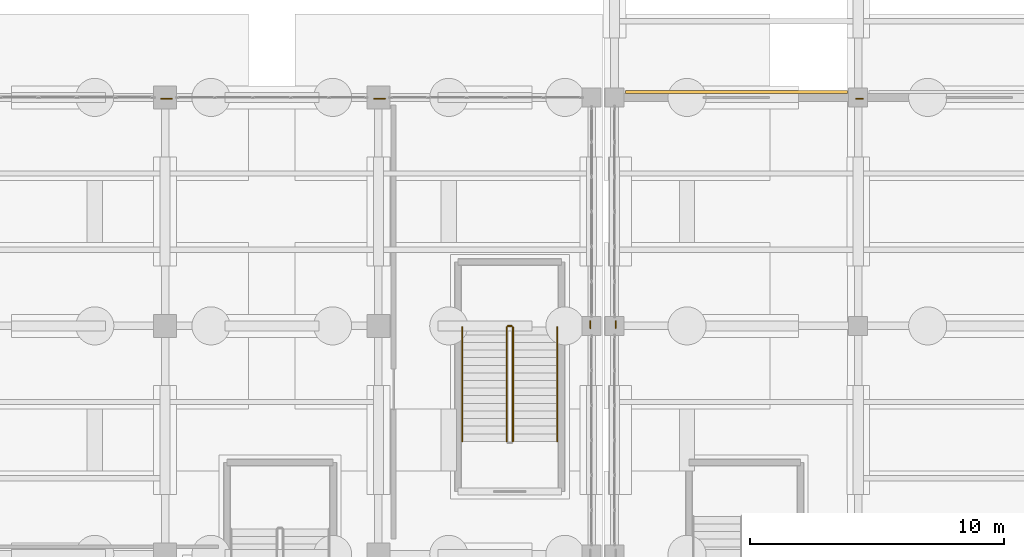
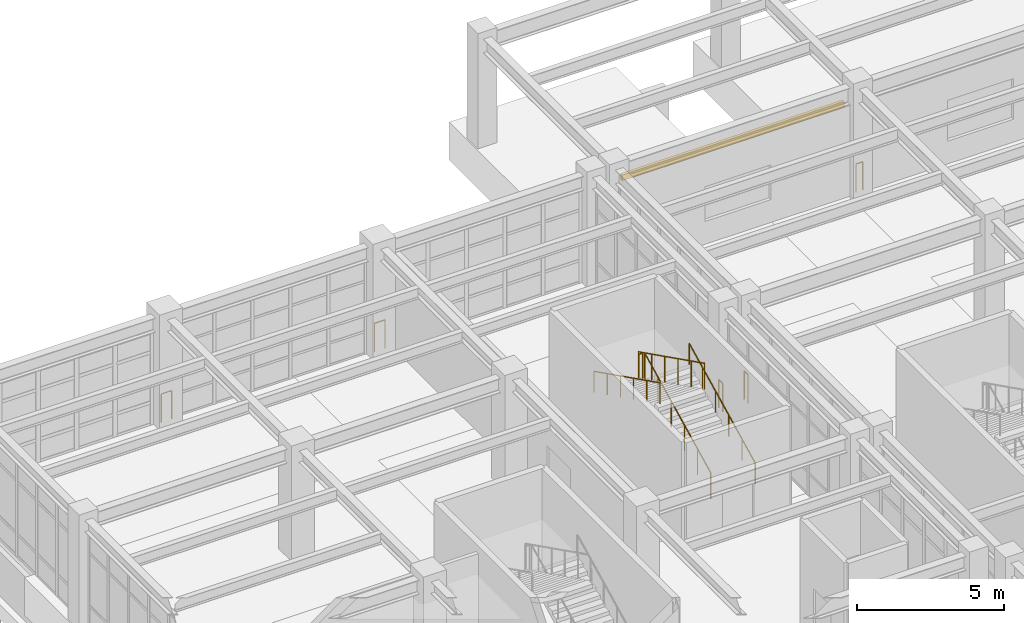
# One storey, part 137 of 139: 10 railings, 1 covering.
"""IFC4 building model written with IfcOpenShell, lengths in metres."""

from ifc_helpers import new_model, si_unit, direction, frame, origin, origin_2d, place, context, subcontext, project, spatial, rectangle, circle, extrude, material, layer, layer_set, type_object, element, save


model = new_model("IFC4")

# Units and contexts
model_context = context("Model", 3, precision=1e-05, world=origin(), true_north=direction((0.0, 1.0)))
body_context = subcontext(model_context, "Body", "Model", "MODEL_VIEW")
ifc_project = project(units=[si_unit("LENGTHUNIT", "METRE"), si_unit("AREAUNIT", "SQUARE_METRE"), si_unit("VOLUMEUNIT", "CUBIC_METRE"), si_unit("PLANEANGLEUNIT", "RADIAN"), si_unit("MASSUNIT", "GRAM", prefix="KILO")], contexts=[model_context])

# Site, building, storey
site_placement = place(None, origin())
site = spatial("IfcSite", under=ifc_project, at=site_placement, CompositionType="ELEMENT")
building_placement = place(site_placement, origin())
building = spatial("IfcBuilding", under=site, at=building_placement, Name="Canglan Escarpment Cableway Terminal", CompositionType="ELEMENT")
storey_placement = place(building_placement, frame((0.0, 0.0, 14.39990234375)))
storey = spatial("IfcBuildingStorey", under=building, at=storey_placement, Name="L03", CompositionType="ELEMENT", Elevation=14.39990234375)

# Covering
ifc_material_1 = material(Name="Carved classical limestone cornice", Category="masonry")
ifc_layer = layer(ifc_material_1, 0.1201171875, Name="Carved classical limestone cornice")
ifc_layer_set = layer_set([ifc_layer], Name="Carved classical limestone cornice")
covering_type = type_object("IfcCoveringType", Name="COV-CORNICE-STONE", PredefinedType="CLADDING", material=ifc_layer_set)
covering_placement = place(storey_placement, frame((142.39990234375, 115.219970703125, 3.52490234375), z_axis=(0.0, 0.0, 1.0), x_axis=(-1.0, 0.0, 0.0)))
element("IfcCovering", 1, at=covering_placement, inside=storey, type_object=covering_type, Name="Classical carved limestone cornice CL-01", PredefinedType="CLADDING", context=body_context, shape_type="SweptSolid", body=[
    extrude(rectangle(XDim=8.75, YDim=0.1201171875, at=origin_2d()), origin(), (0.0, 0.0, 1.0), 0.239990234375),
])

# Railings
ifc_material_2 = material(Name="Carved limestone and anodized bronze balustrade", Category="masonry")
railing_type_1 = type_object("IfcRailingType", Name="RL-EXT-BALUSTRADE-1200", PredefinedType="BALUSTRADE", material=ifc_material_2)
railing_1_placement = place(storey_placement, frame((119.739990234375, 114.949951171875, 0.0)))
element("IfcRailing", 2, at=railing_1_placement, inside=storey, type_object=railing_type_1, Name="Classical terrace balustrade guard GD-01 (L03)", PredefinedType="BALUSTRADE", context=body_context, shape_type="SweptSolid", body=[
    extrude(circle(Radius=0.02392578125, at=origin_2d()), frame((0.0, 0.0, 1.17578125), z_axis=(1.0, 0.0, 0.0), x_axis=(0.0, 1.0, 0.0)), (0.0, 0.0, 1.0), 0.419921875),
    extrude(circle(Radius=0.02099609375, at=origin_2d()), origin(), (0.0, 0.0, 1.0), 1.15185546875),
    extrude(circle(Radius=0.02099609375, at=origin_2d()), frame((0.419921875, 0.0, 0.0)), (0.0, 0.0, 1.0), 1.15185546875),
])
railing_2_placement = place(storey_placement, frame((128.139892578125, 114.949951171875, 0.0)))
element("IfcRailing", 3, at=railing_2_placement, inside=storey, type_object=railing_type_1, Name="Classical terrace balustrade guard GD-01 (L03)", PredefinedType="BALUSTRADE", context=body_context, shape_type="SweptSolid", body=[
    extrude(circle(Radius=0.02392578125, at=origin_2d()), frame((0.0, 0.0, 1.17578125), z_axis=(1.0, 0.0, 0.0), x_axis=(0.0, 1.0, 0.0)), (0.0, 0.0, 1.0), 0.420166015625),
    extrude(circle(Radius=0.02099609375, at=origin_2d()), origin(), (0.0, 0.0, 1.0), 1.15185546875),
    extrude(circle(Radius=0.02099609375, at=origin_2d()), frame((0.420166015625, 0.0, 0.0)), (0.0, 0.0, 1.0), 1.15185546875),
])
railing_3_placement = place(storey_placement, frame((136.64990234375, 106.18505859375, 0.0)))
element("IfcRailing", 4, at=railing_3_placement, inside=storey, type_object=railing_type_1, Name="Classical terrace balustrade guard GD-01 (L03)", PredefinedType="BALUSTRADE", context=body_context, shape_type="SweptSolid", body=[
    extrude(circle(Radius=0.02392578125, at=origin_2d()), frame((0.0, 0.0, 1.17578125), z_axis=(0.0, -1.0, 0.0), x_axis=(1.0, 0.0, 0.0)), (0.0, 0.0, 1.0), 0.27001953125),
    extrude(circle(Radius=0.02099609375, at=origin_2d()), origin(), (0.0, 0.0, 1.0), 1.15185546875),
    extrude(circle(Radius=0.02099609375, at=origin_2d()), frame((0.0, -0.27001953125, 0.0)), (0.0, 0.0, 1.0), 1.15185546875),
])
railing_4_placement = place(storey_placement, frame((137.64990234375, 105.9150390625, 0.0)))
element("IfcRailing", 5, at=railing_4_placement, inside=storey, type_object=railing_type_1, Name="Classical terrace balustrade guard GD-01 (L03)", PredefinedType="BALUSTRADE", context=body_context, shape_type="SweptSolid", body=[
    extrude(circle(Radius=0.02392578125, at=origin_2d()), frame((0.0, 0.0, 1.17578125), z_axis=(0.0, 1.0, 0.0), x_axis=(-1.0, 0.0, 0.0)), (0.0, 0.0, 1.0), 0.27001953125),
    extrude(circle(Radius=0.02099609375, at=origin_2d()), origin(), (0.0, 0.0, 1.0), 1.15185546875),
    extrude(circle(Radius=0.02099609375, at=origin_2d()), frame((0.0, 0.27001953125, 0.0)), (0.0, 0.0, 1.0), 1.15185546875),
])
railing_5_placement = place(storey_placement, frame((147.114990234375, 114.949951171875, 0.0)))
element("IfcRailing", 6, at=railing_5_placement, inside=storey, type_object=railing_type_1, Name="Classical terrace balustrade guard GD-01 (L03)", PredefinedType="BALUSTRADE", context=body_context, shape_type="SweptSolid", body=[
    extrude(circle(Radius=0.02392578125, at=origin_2d()), frame((0.0, 0.0, 1.17578125), z_axis=(1.0, 0.0, 0.0), x_axis=(0.0, 1.0, 0.0)), (0.0, 0.0, 1.0), 0.27001953125),
    extrude(circle(Radius=0.02099609375, at=origin_2d()), origin(), (0.0, 0.0, 1.0), 1.15185546875),
    extrude(circle(Radius=0.02099609375, at=origin_2d()), frame((0.27001953125, 0.0, 0.0)), (0.0, 0.0, 1.0), 1.15185546875),
])
ifc_material_3 = material(Name="Powder-coated steel stair balustrade", Category="steel")
railing_type_2 = type_object("IfcRailingType", Name="RL-STR-GUARD-1100", PredefinedType="BALUSTRADE", material=ifc_material_3)
railing_6_placement = place(storey_placement, frame((133.60009765625, 101.449951171875, 0.150146484375)))
element("IfcRailing", 7, at=railing_6_placement, inside=storey, type_object=railing_type_2, Name="L03 ST-18 stair guard 1", PredefinedType="BALUSTRADE", context=body_context, shape_type="SweptSolid", body=[
    extrude(circle(Radius=0.02392578125, at=origin_2d()), frame((0.0, 0.0, 1.076171875), z_axis=(0.0, 0.894427191, 0.4472135955), x_axis=(-1.0, 0.0, 0.0)), (0.0, 0.0, 1.0), 5.03125),
    extrude(circle(Radius=0.02099609375, at=origin_2d()), origin(), (0.0, 0.0, 1.0), 1.052001953125),
    extrude(circle(Radius=0.02099609375, at=origin_2d()), frame((0.0, 0.89990234375, 0.449951171875)), (0.0, 0.0, 1.0), 1.052001953125),
    extrude(circle(Radius=0.02099609375, at=origin_2d()), frame((0.0, 1.800048828125, 0.89990234375)), (0.0, 0.0, 1.0), 1.052001953125),
    extrude(circle(Radius=0.02099609375, at=origin_2d()), frame((0.0, 2.699951171875, 1.35009765625)), (0.0, 0.0, 1.0), 1.052001953125),
    extrude(circle(Radius=0.02099609375, at=origin_2d()), frame((0.0, 3.60009765625, 1.800048828125)), (0.0, 0.0, 1.0), 1.052001953125),
    extrude(circle(Radius=0.02099609375, at=origin_2d()), frame((0.0, 4.5, 2.25)), (0.0, 0.0, 1.0), 1.052001953125),
])
railing_7_placement = place(storey_placement, frame((133.550048828125, 106.0, 2.400146484375)))
element("IfcRailing", 8, at=railing_7_placement, inside=storey, type_object=railing_type_2, Name="L03 ST-18 stair guard 2", PredefinedType="BALUSTRADE", context=body_context, shape_type="SweptSolid", body=[
    extrude(circle(Radius=0.02392578125, at=origin_2d()), frame((0.0, 0.0, 1.076171875), z_axis=(-1.0, 0.0, 0.0), x_axis=(0.0, -1.0, 0.0)), (0.0, 0.0, 1.0), 0.150146484375),
    extrude(circle(Radius=0.02099609375, at=origin_2d()), origin(), (0.0, 0.0, 1.0), 1.052001953125),
    extrude(circle(Radius=0.02099609375, at=origin_2d()), frame((-0.150146484375, 0.0, 0.0)), (0.0, 0.0, 1.0), 1.052001953125),
])
railing_8_placement = place(storey_placement, frame((133.35009765625, 105.949951171875, 2.550048828125)))
element("IfcRailing", 9, at=railing_8_placement, inside=storey, type_object=railing_type_2, Name="L03 ST-18 stair guard 3", PredefinedType="BALUSTRADE", context=body_context, shape_type="SweptSolid", body=[
    extrude(circle(Radius=0.02392578125, at=origin_2d()), frame((0.0, 0.0, 1.076171875), z_axis=(0.0, -0.894427191, 0.4472135955), x_axis=(1.0, 0.0, 0.0)), (0.0, 0.0, 1.0), 5.03125),
    extrude(circle(Radius=0.02099609375, at=origin_2d()), origin(), (0.0, 0.0, 1.0), 1.052001953125),
    extrude(circle(Radius=0.02099609375, at=origin_2d()), frame((0.0, -0.89990234375, 0.449951171875)), (0.0, 0.0, 1.0), 1.052001953125),
    extrude(circle(Radius=0.02099609375, at=origin_2d()), frame((0.0, -1.800048828125, 0.89990234375)), (0.0, 0.0, 1.0), 1.052001953125),
    extrude(circle(Radius=0.02099609375, at=origin_2d()), frame((0.0, -2.699951171875, 1.35009765625)), (0.0, 0.0, 1.0), 1.052001953125),
    extrude(circle(Radius=0.02099609375, at=origin_2d()), frame((0.0, -3.60009765625, 1.800048828125)), (0.0, 0.0, 1.0), 1.052001953125),
    extrude(circle(Radius=0.02099609375, at=origin_2d()), frame((0.0, -4.5, 2.25)), (0.0, 0.0, 1.0), 1.052001953125),
])
ifc_material_4 = material(Name="Brushed stainless steel 304 handrail", Category="steel")
railing_type_3 = type_object("IfcRailingType", Name="RL-STR-HR-900", PredefinedType="HANDRAIL", material=ifc_material_4)
railing_9_placement = place(storey_placement, frame((135.35009765625, 101.449951171875, 0.150146484375)))
element("IfcRailing", 10, at=railing_9_placement, inside=storey, type_object=railing_type_3, Name="L03 ST-18 stair handrail 1", PredefinedType="HANDRAIL", context=body_context, shape_type="SweptSolid", body=[
    extrude(circle(Radius=0.02392578125, at=origin_2d()), frame((0.0, 0.0, 0.8759765625), z_axis=(0.0, 0.894427191, 0.4472135955), x_axis=(-1.0, 0.0, 0.0)), (0.0, 0.0, 1.0), 5.03125),
    extrude(circle(Radius=0.02099609375, at=origin_2d()), origin(), (0.0, 0.0, 1.0), 0.851806640625),
    extrude(circle(Radius=0.02099609375, at=origin_2d()), frame((0.0, 0.89990234375, 0.449951171875)), (0.0, 0.0, 1.0), 0.851806640625),
    extrude(circle(Radius=0.02099609375, at=origin_2d()), frame((0.0, 1.800048828125, 0.89990234375)), (0.0, 0.0, 1.0), 0.851806640625),
    extrude(circle(Radius=0.02099609375, at=origin_2d()), frame((0.0, 2.699951171875, 1.35009765625)), (0.0, 0.0, 1.0), 0.851806640625),
    extrude(circle(Radius=0.02099609375, at=origin_2d()), frame((0.0, 3.60009765625, 1.800048828125)), (0.0, 0.0, 1.0), 0.851806640625),
    extrude(circle(Radius=0.02099609375, at=origin_2d()), frame((0.0, 4.5, 2.25)), (0.0, 0.0, 1.0), 0.851806640625),
])
railing_10_placement = place(storey_placement, frame((131.60009765625, 105.949951171875, 2.550048828125)))
element("IfcRailing", 11, at=railing_10_placement, inside=storey, type_object=railing_type_3, Name="L03 ST-18 stair handrail 2", PredefinedType="HANDRAIL", context=body_context, shape_type="SweptSolid", body=[
    extrude(circle(Radius=0.02392578125, at=origin_2d()), frame((0.0, 0.0, 0.8759765625), z_axis=(0.0, -0.894427191, 0.4472135955), x_axis=(1.0, 0.0, 0.0)), (0.0, 0.0, 1.0), 5.03125),
    extrude(circle(Radius=0.02099609375, at=origin_2d()), origin(), (0.0, 0.0, 1.0), 0.851806640625),
    extrude(circle(Radius=0.02099609375, at=origin_2d()), frame((0.0, -0.89990234375, 0.449951171875)), (0.0, 0.0, 1.0), 0.851806640625),
    extrude(circle(Radius=0.02099609375, at=origin_2d()), frame((0.0, -1.800048828125, 0.89990234375)), (0.0, 0.0, 1.0), 0.851806640625),
    extrude(circle(Radius=0.02099609375, at=origin_2d()), frame((0.0, -2.699951171875, 1.35009765625)), (0.0, 0.0, 1.0), 0.851806640625),
    extrude(circle(Radius=0.02099609375, at=origin_2d()), frame((0.0, -3.60009765625, 1.800048828125)), (0.0, 0.0, 1.0), 0.851806640625),
    extrude(circle(Radius=0.02099609375, at=origin_2d()), frame((0.0, -4.5, 2.25)), (0.0, 0.0, 1.0), 0.851806640625),
])

save(model, "model.ifc")
